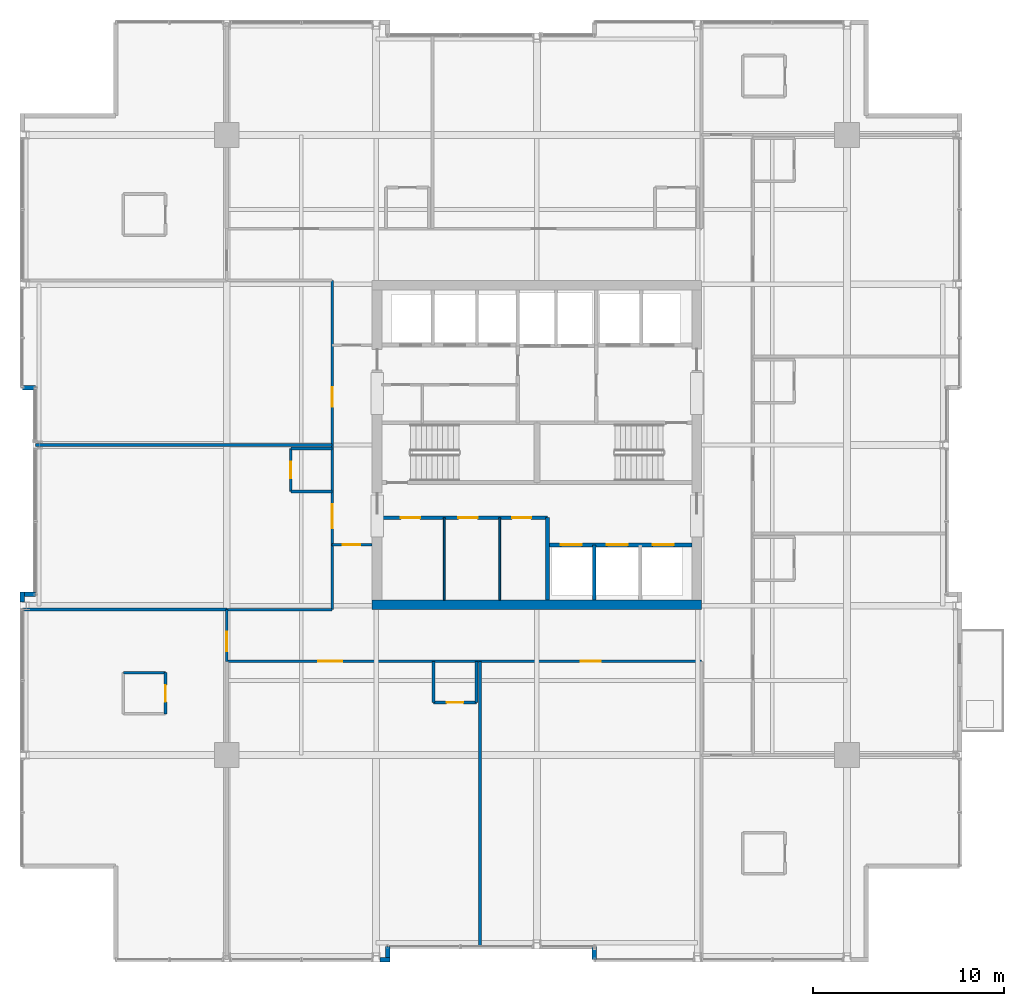
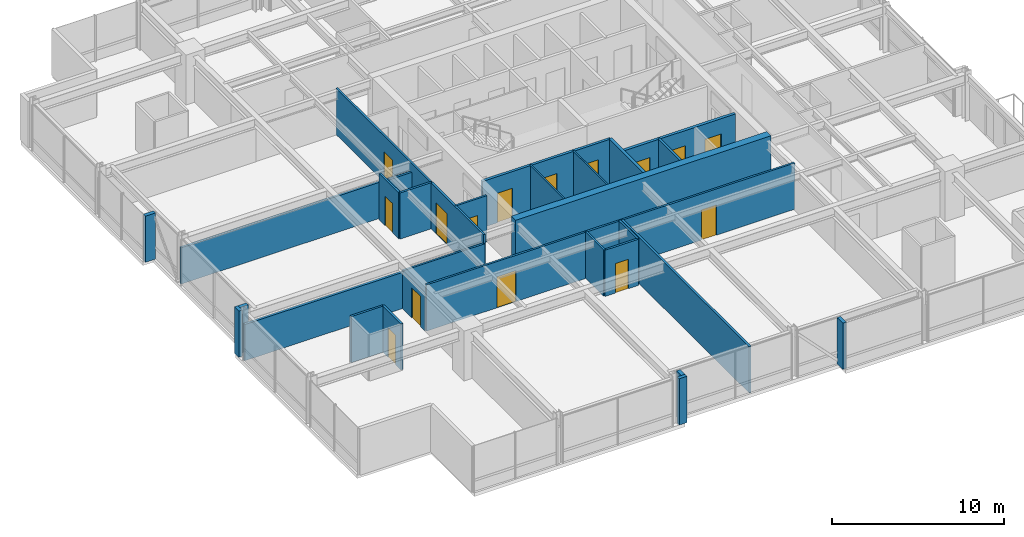
# One storey, part 27 of 33: 29 walls, 15 doors, 15 openings.
"""IFC4 building model written with IfcOpenShell, lengths in metres."""

from ifc_helpers import new_model, si_unit, direction, frame, frame_2d, origin, place, context, subcontext, project, spatial, rectangle, extrude, material, layer, layer_set, type_object, element, fill, save


model = new_model("IFC4")

# Units and contexts
model_context = context("Model", 3, precision=1e-05, world=origin(), true_north=direction((0.0, 1.0)))
body_context = subcontext(model_context, "Body", "Model", "MODEL_VIEW")
ifc_project = project(units=[si_unit("LENGTHUNIT", "METRE"), si_unit("AREAUNIT", "SQUARE_METRE"), si_unit("VOLUMEUNIT", "CUBIC_METRE"), si_unit("PLANEANGLEUNIT", "RADIAN"), si_unit("MASSUNIT", "GRAM", prefix="KILO")], contexts=[model_context])

# Site, building, storey
site_placement = place(None, origin())
site = spatial("IfcSite", under=ifc_project, at=site_placement, CompositionType="ELEMENT")
building_placement = place(site_placement, origin())
building = spatial("IfcBuilding", under=site, at=building_placement, Name="Drelvath Grand Hotel", CompositionType="ELEMENT")
storey_placement = place(building_placement, frame((0.0, 0.0, 161.050048828125)))
storey = spatial("IfcBuildingStorey", under=building, at=storey_placement, Name="L41", CompositionType="ELEMENT", Elevation=161.050048828125)

# Walls
ifc_material_1 = material(Name="Gypsum Partition Board")
ifc_layer_1 = layer(ifc_material_1, 0.10009765625)
ifc_layer_set_1 = layer_set([ifc_layer_1], Name="Gypsum Partition Board")
wall_type_1 = type_object("IfcWallType", Name="Core Closet Partition 100", PredefinedType="PARTITIONING", material=ifc_layer_set_1)
for number, where, z_axis, x_axis, name in (
    (1, (-4.840087890625, 18.89990234375, 0.0), (0.0, 0.0, 1.0), (0.0, 1.0, 0.0), "L41 Reclaimed Split 1"),
    (2, (-1.93994140625, 18.89990234375, 0.0), (0.0, 0.0, 1.0), (0.0, 1.0, 0.0), "L41 Reclaimed Split 2"),
):
    element("IfcWall", number, at=place(storey_placement, frame(where, z_axis=z_axis, x_axis=x_axis)), inside=storey, type_object=wall_type_1, Name=name, PredefinedType="PARTITIONING", context=body_context, shape_type="SweptSolid", body=[
        extrude(rectangle(XDim=4.300048828125, YDim=0.10009765625, at=frame_2d((2.14990234375, 0.0))), origin(), (0.0, 0.0, 1.0), 3.2900390625),
    ])

# Wall, openings, doors
ifc_material_2 = material(Name="Concrete C40/50", Category="concrete")
ifc_layer_2 = layer(ifc_material_2, 0.199951171875)
ifc_layer_set_2 = layer_set([ifc_layer_2], Name="Concrete C40/50")
wall_type_2 = type_object("IfcWallType", Name="Core Hoistway Fire Wall 200", PredefinedType="SOLIDWALL", material=ifc_layer_set_2)
wall_1_placement = place(storey_placement, frame((8.10009765625, 21.780029296875, 0.0), z_axis=(0.0, 0.0, 1.0), x_axis=(-1.0, 0.0, 0.0)))
wall_1 = element("IfcWall", 3, at=wall_1_placement, inside=storey, type_object=wall_type_2, Name="L41 Bank 2 Hoistway Wall", PredefinedType="SOLIDWALL", context=body_context, shape_type="SweptSolid", body=[
    extrude(rectangle(XDim=7.550048828125, YDim=0.199951171875, at=frame_2d((3.77490234375, 0.0))), origin(), (0.0, 0.0, 1.0), 3.2900390625),
])
opening_1_placement = place(wall_1_placement, frame((5.75, 0.0, 0.0)))
opening_1 = element("IfcOpeningElement", 4, at=opening_1_placement, cuts=wall_1, Name="Opening LD-PE-4", PredefinedType="OPENING", context=body_context, shape_type="SweptSolid", body=[
    extrude(rectangle(XDim=1.10009765625, YDim=2.199951171875, at=frame_2d((0.550048828125, 1.10009765625))), frame((0.0, 0.10986328125, 0.0), z_axis=(0.0, -1.0, 0.0), x_axis=(1.0, 0.0, 0.0)), (0.0, 0.0, 1.0), 0.219970703125),
])
opening_2_placement = place(wall_1_placement, frame((3.35009765625, 0.0, 0.0)))
opening_2 = element("IfcOpeningElement", 5, at=opening_2_placement, cuts=wall_1, Name="Opening LD-PE-5", PredefinedType="OPENING", context=body_context, shape_type="SweptSolid", body=[
    extrude(rectangle(XDim=1.10009765625, YDim=2.199951171875, at=frame_2d((0.550048828125, 1.10009765625))), frame((0.0, 0.10986328125, 0.0), z_axis=(0.0, -1.0, 0.0), x_axis=(1.0, 0.0, 0.0)), (0.0, 0.0, 1.0), 0.219970703125),
])
opening_3_placement = place(wall_1_placement, frame((0.949951171875, 0.0, 0.0)))
opening_3 = element("IfcOpeningElement", 6, at=opening_3_placement, cuts=wall_1, Name="Opening LD-PE-6", PredefinedType="OPENING", context=body_context, shape_type="SweptSolid", body=[
    extrude(rectangle(XDim=1.10009765625, YDim=2.199951171875, at=frame_2d((0.550048828125, 1.10009765625))), frame((0.0, 0.10986328125, 0.0), z_axis=(0.0, -1.0, 0.0), x_axis=(1.0, 0.0, 0.0)), (0.0, 0.0, 1.0), 0.219970703125),
])
ifc_material_3 = material(Name="Stainless Steel S355", Category="steel")
door_type_1 = type_object("IfcDoorType", Name="Passenger Lift Sliding Landing Door 1100x2200", OperationType="NOTDEFINED", PredefinedType="DOOR", material=ifc_material_3)
door_1_placement = place(opening_1_placement, origin())
door_1 = element("IfcDoor", 7, at=door_1_placement, inside=storey, type_object=door_type_1, Name="L41 Lift PE-4 Landing Door", OperationType="SLIDING_TO_LEFT", OverallHeight=2.199951171875, OverallWidth=1.10009765625, PredefinedType="DOOR", context=body_context, shape_type="SweptSolid", body=[
    extrude(rectangle(XDim=1.10009765625, YDim=2.199951171875, at=frame_2d((0.550048828125, 1.10009765625))), frame((0.0, 0.02490234375, 0.0), z_axis=(0.0, -1.0, 0.0), x_axis=(1.0, 0.0, 0.0)), (0.0, 0.0, 1.0), 0.050048828125),
])
fill(opening_1, door_1)
door_2_placement = place(opening_2_placement, origin())
door_2 = element("IfcDoor", 8, at=door_2_placement, inside=storey, type_object=door_type_1, Name="L41 Lift PE-5 Landing Door", OperationType="SLIDING_TO_LEFT", OverallHeight=2.199951171875, OverallWidth=1.10009765625, PredefinedType="DOOR", context=body_context, shape_type="SweptSolid", body=[
    extrude(rectangle(XDim=1.10009765625, YDim=2.199951171875, at=frame_2d((0.550048828125, 1.10009765625))), frame((0.0, 0.02490234375, 0.0), z_axis=(0.0, -1.0, 0.0), x_axis=(1.0, 0.0, 0.0)), (0.0, 0.0, 1.0), 0.050048828125),
])
fill(opening_2, door_2)
door_3_placement = place(opening_3_placement, origin())
door_3 = element("IfcDoor", 9, at=door_3_placement, inside=storey, type_object=door_type_1, Name="L41 Lift PE-6 Landing Door", OperationType="SLIDING_TO_LEFT", OverallHeight=2.199951171875, OverallWidth=1.10009765625, PredefinedType="DOOR", context=body_context, shape_type="SweptSolid", body=[
    extrude(rectangle(XDim=1.10009765625, YDim=2.199951171875, at=frame_2d((0.550048828125, 1.10009765625))), frame((0.0, 0.02490234375, 0.0), z_axis=(0.0, -1.0, 0.0), x_axis=(1.0, 0.0, 0.0)), (0.0, 0.0, 1.0), 0.050048828125),
])
fill(opening_3, door_3)

# Walls
wall_2_placement = place(storey_placement, frame((0.550048828125, 18.89990234375, 0.0), z_axis=(0.0, 0.0, 1.0), x_axis=(0.0, 1.0, 0.0)))
element("IfcWall", 10, at=wall_2_placement, inside=storey, type_object=wall_type_2, Name="L41 Bank 2 West Wall", PredefinedType="SOLIDWALL", context=body_context, shape_type="SweptSolid", body=[
    extrude(rectangle(XDim=4.300048828125, YDim=0.199951171875, at=frame_2d((2.14990234375, 0.0))), origin(), (0.0, 0.0, 1.0), 3.2900390625),
])
ifc_material_4 = material(Name="Gypsum Fireboard Partition")
ifc_layer_3 = layer(ifc_material_4, 0.1650390625)
ifc_layer_set_3 = layer_set([ifc_layer_3], Name="Gypsum Fireboard Partition")
wall_type_3 = type_object("IfcWallType", Name="Core Shaft Partition 165", PredefinedType="PARTITIONING", material=ifc_layer_set_3)
wall_3_placement = place(storey_placement, frame((3.0, 18.89990234375, 0.0), z_axis=(0.0, 0.0, 1.0), x_axis=(0.0, 1.0, 0.0)))
element("IfcWall", 11, at=wall_3_placement, inside=storey, type_object=wall_type_3, Name="L41 Lift PE-4/5 Divider", PredefinedType="PARTITIONING", context=body_context, shape_type="SweptSolid", body=[
    extrude(rectangle(XDim=2.880126953125, YDim=0.1650390625, at=frame_2d((1.43994140625, 0.0))), origin(), (0.0, 0.0, 1.0), 3.2900390625),
])

# Wall, opening, door
ifc_layer_4 = layer(ifc_material_4, 0.135009765625)
ifc_layer_set_4 = layer_set([ifc_layer_4], Name="Gypsum Fireboard Partition")
wall_type_4 = type_object("IfcWallType", Name="Corridor Fire Barrier Wall 135", PredefinedType="PARTITIONING", material=ifc_layer_set_4)
wall_4_placement = place(storey_placement, frame((-10.699951171875, 21.800048828125, 0.0), z_axis=(0.0, 0.0, 1.0), x_axis=(1.0, 0.0, 0.0)))
wall_4 = element("IfcWall", 12, at=wall_4_placement, inside=storey, type_object=wall_type_4, Name="L41 West Foyer South Wall", PredefinedType="PARTITIONING", context=body_context, shape_type="SweptSolid", body=[
    extrude(rectangle(XDim=2.099853515625, YDim=0.135009765625, at=frame_2d((1.0498046875, 0.0))), origin(), (0.0, 0.0, 1.0), 3.2900390625),
])
opening_4_placement = place(wall_4_placement, frame((0.550048828125, 0.0, 0.0)))
opening_4 = element("IfcOpeningElement", 13, at=opening_4_placement, cuts=wall_4, Name="Opening D-T3G2-024", PredefinedType="OPENING", context=body_context, shape_type="SweptSolid", body=[
    extrude(rectangle(XDim=0.919921875, YDim=2.10009765625, at=frame_2d((0.4599609375, 1.050048828125))), frame((0.0, 0.077392578125, 0.0), z_axis=(0.0, -1.0, 0.0), x_axis=(1.0, 0.0, 0.0)), (0.0, 0.0, 1.0), 0.155029296875),
])
ifc_material_5 = material(Name="Painted Steel S275", Category="steel")
door_type_2 = type_object("IfcDoorType", Name="Staff Utility Door 920x2100", OperationType="NOTDEFINED", PredefinedType="DOOR", material=ifc_material_5)
door_4_placement = place(opening_4_placement, origin())
door_4 = element("IfcDoor", 14, at=door_4_placement, inside=storey, type_object=door_type_2, Name="L41 West Linen Closet Door", OperationType="SINGLE_SWING_RIGHT", OverallHeight=2.10009765625, OverallWidth=0.919921875, PredefinedType="DOOR", context=body_context, shape_type="SweptSolid", body=[
    extrude(rectangle(XDim=0.919921875, YDim=2.10009765625, at=frame_2d((0.4599609375, 1.050048828125))), frame((0.0, 0.02490234375, 0.0), z_axis=(0.0, -1.0, 0.0), x_axis=(1.0, 0.0, 0.0)), (0.0, 0.0, 1.0), 0.050048828125),
])
fill(opening_4, door_4)

# Wall
wall_5_placement = place(storey_placement, frame((-16.199951171875, 18.39990234375, 0.0), z_axis=(0.0, 0.0, 1.0), x_axis=(1.0, 0.0, 0.0)))
element("IfcWall", 15, at=wall_5_placement, inside=storey, type_object=wall_type_4, Name="L41 SW Stub North Wall", PredefinedType="PARTITIONING", context=body_context, shape_type="SweptSolid", body=[
    extrude(rectangle(XDim=5.5, YDim=0.135009765625, at=frame_2d((2.75, 0.0))), origin(), (0.0, 0.0, 1.0), 2.667236328125),
])

# Wall, openings, doors
wall_6_placement = place(storey_placement, frame((-16.199951171875, 15.699951171875, 0.0), z_axis=(0.0, 0.0, 1.0), x_axis=(1.0, 0.0, 0.0)))
wall_6 = element("IfcWall", 16, at=wall_6_placement, inside=storey, type_object=wall_type_4, Name="L41 South Stub Corridor Wall", PredefinedType="PARTITIONING", context=body_context, shape_type="SweptSolid", body=[
    extrude(rectangle(XDim=24.800048828125, YDim=0.135009765625, at=frame_2d((12.39990234375, 0.0))), origin(), (0.0, 0.0, 1.0), 3.2900390625),
])
opening_5_placement = place(wall_6_placement, frame((4.768310546875, 0.0, 0.0)))
opening_5 = element("IfcOpeningElement", 17, at=opening_5_placement, cuts=wall_6, Name="Opening D-T3G2-035", PredefinedType="OPENING", context=body_context, shape_type="SweptSolid", body=[
    extrude(rectangle(XDim=1.260009765625, YDim=2.199951171875, at=frame_2d((0.6298828125, 1.10009765625))), frame((0.0, 0.077392578125, 0.0), z_axis=(0.0, -1.0, 0.0), x_axis=(1.0, 0.0, 0.0)), (0.0, 0.0, 1.0), 0.155029296875),
])
opening_6_placement = place(wall_6_placement, frame((18.50341796875, 0.0, 0.0)))
opening_6 = element("IfcOpeningElement", 18, at=opening_6_placement, cuts=wall_6, Name="Opening D-T3G2-036", PredefinedType="OPENING", context=body_context, shape_type="SweptSolid", body=[
    extrude(rectangle(XDim=1.02001953125, YDim=2.14990234375, at=frame_2d((0.510009765625, 1.074951171875))), frame((0.0, 0.077392578125, 0.0), z_axis=(0.0, -1.0, 0.0), x_axis=(1.0, 0.0, 0.0)), (0.0, 0.0, 1.0), 0.155029296875),
])
ifc_material_6 = material(Name="Hardwood Walnut Timber", Category="wood")
door_type_3 = type_object("IfcDoorType", Name="Amenity Meeting Fire Door 1020x2150", OperationType="NOTDEFINED", PredefinedType="DOOR", material=ifc_material_6)
door_5_placement = place(opening_6_placement, origin())
door_5 = element("IfcDoor", 19, at=door_5_placement, inside=storey, type_object=door_type_3, Name="L41 Executive Boardroom Entry Door", OperationType="SINGLE_SWING_RIGHT", OverallHeight=2.14990234375, OverallWidth=1.02001953125, PredefinedType="DOOR", context=body_context, shape_type="SweptSolid", body=[
    extrude(rectangle(XDim=1.02001953125, YDim=2.14990234375, at=frame_2d((0.510009765625, 1.074951171875))), frame((0.0, 0.02490234375, 0.0), z_axis=(0.0, -1.0, 0.0), x_axis=(1.0, 0.0, 0.0)), (0.0, 0.0, 1.0), 0.050048828125),
])
fill(opening_6, door_5)
door_type_4 = type_object("IfcDoorType", Name="Suite Entrance Fire Door 1260x2200", OperationType="NOTDEFINED", PredefinedType="DOOR", material=ifc_material_6)
door_6_placement = place(opening_5_placement, origin())
door_6 = element("IfcDoor", 20, at=door_6_placement, inside=storey, type_object=door_type_4, Name="L41 Executive Suite Entry Door", OperationType="SINGLE_SWING_LEFT", OverallHeight=2.199951171875, OverallWidth=1.260009765625, PredefinedType="DOOR", context=body_context, shape_type="SweptSolid", body=[
    extrude(rectangle(XDim=1.260009765625, YDim=2.199951171875, at=frame_2d((0.6298828125, 1.10009765625))), frame((0.0, 0.02490234375, 0.0), z_axis=(0.0, -1.0, 0.0), x_axis=(1.0, 0.0, 0.0)), (0.0, 0.0, 1.0), 0.050048828125),
])
fill(opening_5, door_6)

wall_7_placement = place(storey_placement, frame((-10.699951171875, 18.39990234375, 0.0), z_axis=(0.0, 0.0, 1.0), x_axis=(0.0, 1.0, 0.0)))
wall_7 = element("IfcWall", 21, at=wall_7_placement, inside=storey, type_object=wall_type_4, Name="L41 West Spine Wall", PredefinedType="PARTITIONING", context=body_context, shape_type="SweptSolid", body=[
    extrude(rectangle(XDim=17.2001953125, YDim=0.135009765625, at=frame_2d((8.60009765625, 0.0))), origin(), (0.0, 0.0, 1.0), 3.2900390625),
])
opening_7_placement = place(wall_7_placement, frame((4.2548828125, 0.0, 0.0)))
opening_7 = element("IfcOpeningElement", 22, at=opening_7_placement, cuts=wall_7, Name="Opening D-T3G2-048", PredefinedType="OPENING", context=body_context, shape_type="SweptSolid", body=[
    extrude(rectangle(XDim=1.260009765625, YDim=2.199951171875, at=frame_2d((0.6298828125, 1.10009765625))), frame((0.0, 0.077392578125, 0.0), z_axis=(0.0, -1.0, 0.0), x_axis=(1.0, 0.0, 0.0)), (0.0, 0.0, 1.0), 0.155029296875),
])
opening_8_placement = place(wall_7_placement, frame((10.590087890625, 0.0, 0.0)))
opening_8 = element("IfcOpeningElement", 23, at=opening_8_placement, cuts=wall_7, Name="Opening D-T3G2-049", PredefinedType="OPENING", context=body_context, shape_type="SweptSolid", body=[
    extrude(rectangle(XDim=1.02001953125, YDim=2.14990234375, at=frame_2d((0.510009765625, 1.074951171875))), frame((0.0, 0.077392578125, 0.0), z_axis=(0.0, -1.0, 0.0), x_axis=(1.0, 0.0, 0.0)), (0.0, 0.0, 1.0), 0.155029296875),
])
door_7_placement = place(opening_8_placement, origin())
door_7 = element("IfcDoor", 24, at=door_7_placement, inside=storey, type_object=door_type_3, Name="L41 Wellness Consultation Room Entry Door", OperationType="SINGLE_SWING_LEFT", OverallHeight=2.14990234375, OverallWidth=1.02001953125, PredefinedType="DOOR", context=body_context, shape_type="SweptSolid", body=[
    extrude(rectangle(XDim=1.02001953125, YDim=2.14990234375, at=frame_2d((0.510009765625, 1.074951171875))), frame((0.0, 0.02490234375, 0.0), z_axis=(0.0, -1.0, 0.0), x_axis=(1.0, 0.0, 0.0)), (0.0, 0.0, 1.0), 0.050048828125),
])
fill(opening_8, door_7)
door_8_placement = place(opening_7_placement, origin())
door_8 = element("IfcDoor", 25, at=door_8_placement, inside=storey, type_object=door_type_4, Name="L41 Executive Suite Entry Door", OperationType="SINGLE_SWING_RIGHT", OverallHeight=2.199951171875, OverallWidth=1.260009765625, PredefinedType="DOOR", context=body_context, shape_type="SweptSolid", body=[
    extrude(rectangle(XDim=1.260009765625, YDim=2.199951171875, at=frame_2d((0.6298828125, 1.10009765625))), frame((0.0, 0.02490234375, 0.0), z_axis=(0.0, -1.0, 0.0), x_axis=(1.0, 0.0, 0.0)), (0.0, 0.0, 1.0), 0.050048828125),
])
fill(opening_7, door_8)

# Wall, opening, door
wall_8_placement = place(storey_placement, frame((-16.199951171875, 15.699951171875, 0.0), z_axis=(0.0, 0.0, 1.0), x_axis=(0.0, 1.0, 0.0)))
wall_8 = element("IfcWall", 26, at=wall_8_placement, inside=storey, type_object=wall_type_4, Name="L41 South Stub West End", PredefinedType="PARTITIONING", context=body_context, shape_type="SweptSolid", body=[
    extrude(rectangle(XDim=2.699951171875, YDim=0.135009765625, at=frame_2d((1.35009765625, 0.0))), origin(), (0.0, 0.0, 1.0), 2.57958984375),
])
opening_9_placement = place(wall_8_placement, frame((0.52001953125, 0.0, 0.0)))
opening_9 = element("IfcOpeningElement", 27, at=opening_9_placement, cuts=wall_8, Name="Opening D-T3G2-027", PredefinedType="OPENING", context=body_context, shape_type="SweptSolid", body=[
    extrude(rectangle(XDim=1.02001953125, YDim=2.14990234375, at=frame_2d((0.510009765625, 1.074951171875))), frame((0.0, 0.077392578125, 0.0), z_axis=(0.0, -1.0, 0.0), x_axis=(1.0, 0.0, 0.0)), (0.0, 0.0, 1.0), 0.155029296875),
])
door_9_placement = place(opening_9_placement, origin())
door_9 = element("IfcDoor", 28, at=door_9_placement, inside=storey, type_object=door_type_3, Name="L41 Executive Suite Entry Door", OperationType="SINGLE_SWING_LEFT", OverallHeight=2.14990234375, OverallWidth=1.02001953125, PredefinedType="DOOR", context=body_context, shape_type="SweptSolid", body=[
    extrude(rectangle(XDim=1.02001953125, YDim=2.14990234375, at=frame_2d((0.510009765625, 1.074951171875))), frame((0.0, 0.02490234375, 0.0), z_axis=(0.0, -1.0, 0.0), x_axis=(1.0, 0.0, 0.0)), (0.0, 0.0, 1.0), 0.050048828125),
])
fill(opening_9, door_9)

# Wall
ifc_material_7 = material(Name="Moisture-Resistant Gypsum Board")
ifc_layer_5 = layer(ifc_material_7, 0.139892578125)
ifc_layer_set_5 = layer_set([ifc_layer_5], Name="Moisture-Resistant Gypsum Board")
wall_type_5 = type_object("IfcWallType", Name="En-Suite Plumbing Wall 140", PredefinedType="PLUMBINGWALL", material=ifc_layer_set_5)
wall_9_placement = place(storey_placement, frame((-21.60009765625, 15.110107421875, 0.0), z_axis=(0.0, 0.0, 1.0), x_axis=(1.0, 0.0, 0.0)))
element("IfcWall", 29, at=wall_9_placement, inside=storey, type_object=wall_type_5, Name="L41 Corner En-Suite North", PredefinedType="PLUMBINGWALL", context=body_context, shape_type="SweptSolid", body=[
    extrude(rectangle(XDim=2.2001953125, YDim=0.139892578125, at=frame_2d((1.10009765625, 0.0))), origin(), (0.0, 0.0, 1.0), 3.2900390625),
])

# Wall, opening, door
wall_10_placement = place(storey_placement, frame((-19.39990234375, 12.9599609375, 0.0), z_axis=(0.0, 0.0, 1.0), x_axis=(0.0, 1.0, 0.0)))
wall_10 = element("IfcWall", 30, at=wall_10_placement, inside=storey, type_object=wall_type_5, Name="L41 Corner En-Suite East", PredefinedType="PLUMBINGWALL", context=body_context, shape_type="SweptSolid", body=[
    extrude(rectangle(XDim=2.150146484375, YDim=0.139892578125, at=frame_2d((1.0751953125, 0.0))), origin(), (0.0, 0.0, 1.0), 3.2900390625),
])
opening_10_placement = place(wall_10_placement, frame((0.6201171875, 0.0, 0.0)))
opening_10 = element("IfcOpeningElement", 31, at=opening_10_placement, cuts=wall_10, Name="Opening D-T3G2-026", PredefinedType="OPENING", context=body_context, shape_type="SweptSolid", body=[
    extrude(rectangle(XDim=0.8798828125, YDim=2.10009765625, at=frame_2d((0.43994140625, 1.050048828125))), frame((0.0, 0.079833984375, 0.0), z_axis=(0.0, -1.0, 0.0), x_axis=(1.0, 0.0, 0.0)), (0.0, 0.0, 1.0), 0.159912109375),
])
door_type_5 = type_object("IfcDoorType", Name="En-Suite Bathroom Door 880x2100", OperationType="NOTDEFINED", PredefinedType="DOOR", material=ifc_material_6)
door_10_placement = place(opening_10_placement, origin())
door_10 = element("IfcDoor", 32, at=door_10_placement, inside=storey, type_object=door_type_5, Name="L41 Corner En-Suite Door", OperationType="SINGLE_SWING_RIGHT", OverallHeight=2.10009765625, OverallWidth=0.8798828125, PredefinedType="DOOR", context=body_context, shape_type="SweptSolid", body=[
    extrude(rectangle(XDim=0.8798828125, YDim=2.10009765625, at=frame_2d((0.43994140625, 1.050048828125))), frame((0.0, 0.02490234375, 0.0), z_axis=(0.0, -1.0, 0.0), x_axis=(1.0, 0.0, 0.0)), (0.0, 0.0, 1.0), 0.050048828125),
])
fill(opening_10, door_10)

# Walls
for number, where, z_axis, x_axis, name in (
    (33, (-5.4033203125, 15.699951171875, 0.0), (0.0, 0.0, 1.0), (0.0, -1.0, 0.0), "L41 En-Suite Left Wall"),
    (34, (-3.1533203125, 15.699951171875, 0.0), (0.0, 0.0, 1.0), (0.0, -1.0, 0.0), "L41 En-Suite Right Wall"),
):
    element("IfcWall", number, at=place(storey_placement, frame(where, z_axis=z_axis, x_axis=x_axis)), inside=storey, type_object=wall_type_5, Name=name, PredefinedType="PLUMBINGWALL", context=body_context, shape_type="SweptSolid", body=[
        extrude(rectangle(XDim=2.14990234375, YDim=0.139892578125, at=frame_2d((1.074951171875, 0.0))), origin(), (0.0, 0.0, 1.0), 3.2900390625),
    ])

# Wall, opening, door
wall_11_placement = place(storey_placement, frame((-5.4033203125, 13.550048828125, 0.0), z_axis=(0.0, 0.0, 1.0), x_axis=(1.0, 0.0, 0.0)))
wall_11 = element("IfcWall", 35, at=wall_11_placement, inside=storey, type_object=wall_type_5, Name="L41 En-Suite Front Wall", PredefinedType="PLUMBINGWALL", context=body_context, shape_type="SweptSolid", body=[
    extrude(rectangle(XDim=2.25, YDim=0.139892578125, at=frame_2d((1.125, 0.0))), origin(), (0.0, 0.0, 1.0), 3.2900390625),
])
opening_11_placement = place(wall_11_placement, frame((0.68505859375, 0.0, 0.0)))
opening_11 = element("IfcOpeningElement", 36, at=opening_11_placement, cuts=wall_11, Name="Opening D-T3G2-034", PredefinedType="OPENING", context=body_context, shape_type="SweptSolid", body=[
    extrude(rectangle(XDim=0.8798828125, YDim=2.10009765625, at=frame_2d((0.43994140625, 1.050048828125))), frame((0.0, 0.079833984375, 0.0), z_axis=(0.0, -1.0, 0.0), x_axis=(1.0, 0.0, 0.0)), (0.0, 0.0, 1.0), 0.159912109375),
])
door_11_placement = place(opening_11_placement, origin())
door_11 = element("IfcDoor", 37, at=door_11_placement, inside=storey, type_object=door_type_5, Name="L41 En-Suite Bathroom Door", OperationType="SINGLE_SWING_RIGHT", OverallHeight=2.10009765625, OverallWidth=0.8798828125, PredefinedType="DOOR", context=body_context, shape_type="SweptSolid", body=[
    extrude(rectangle(XDim=0.8798828125, YDim=2.10009765625, at=frame_2d((0.43994140625, 1.050048828125))), frame((0.0, 0.02490234375, 0.0), z_axis=(0.0, -1.0, 0.0), x_axis=(1.0, 0.0, 0.0)), (0.0, 0.0, 1.0), 0.050048828125),
])
fill(opening_11, door_11)

# Walls
wall_12_placement = place(storey_placement, frame((-10.699951171875, 24.570068359375, 0.0), z_axis=(0.0, 0.0, 1.0), x_axis=(-1.0, 0.0, 0.0)))
element("IfcWall", 38, at=wall_12_placement, inside=storey, type_object=wall_type_5, Name="L41 En-Suite Left Wall", PredefinedType="PLUMBINGWALL", context=body_context, shape_type="SweptSolid", body=[
    extrude(rectangle(XDim=2.150146484375, YDim=0.139892578125, at=frame_2d((1.0751953125, 0.0))), origin(), (0.0, 0.0, 1.0), 3.2900390625),
])
wall_13_placement = place(storey_placement, frame((-10.699951171875, 26.820068359375, 0.0), z_axis=(0.0, 0.0, 1.0), x_axis=(-1.0, 0.0, 0.0)))
element("IfcWall", 39, at=wall_13_placement, inside=storey, type_object=wall_type_5, Name="L41 En-Suite Right Wall", PredefinedType="PLUMBINGWALL", context=body_context, shape_type="SweptSolid", body=[
    extrude(rectangle(XDim=2.150146484375, YDim=0.139892578125, at=frame_2d((1.0751953125, 0.0))), origin(), (0.0, 0.0, 1.0), 2.667236328125),
])

# Wall, opening, door
wall_14_placement = place(storey_placement, frame((-12.85009765625, 24.570068359375, 0.0), z_axis=(0.0, 0.0, 1.0), x_axis=(0.0, 1.0, 0.0)))
wall_14 = element("IfcWall", 40, at=wall_14_placement, inside=storey, type_object=wall_type_5, Name="L41 En-Suite Front Wall", PredefinedType="PLUMBINGWALL", context=body_context, shape_type="SweptSolid", body=[
    extrude(rectangle(XDim=2.25, YDim=0.139892578125, at=frame_2d((1.125, 0.0))), origin(), (0.0, 0.0, 1.0), 3.2900390625),
])
opening_12_placement = place(wall_14_placement, frame((0.68505859375, 0.0, 0.0)))
opening_12 = element("IfcOpeningElement", 41, at=opening_12_placement, cuts=wall_14, Name="Opening D-T3G2-047", PredefinedType="OPENING", context=body_context, shape_type="SweptSolid", body=[
    extrude(rectangle(XDim=0.8798828125, YDim=2.10009765625, at=frame_2d((0.43994140625, 1.050048828125))), frame((0.0, 0.079833984375, 0.0), z_axis=(0.0, -1.0, 0.0), x_axis=(1.0, 0.0, 0.0)), (0.0, 0.0, 1.0), 0.159912109375),
])
door_12_placement = place(opening_12_placement, origin())
door_12 = element("IfcDoor", 42, at=door_12_placement, inside=storey, type_object=door_type_5, Name="L41 En-Suite Bathroom Door", OperationType="SINGLE_SWING_LEFT", OverallHeight=2.10009765625, OverallWidth=0.8798828125, PredefinedType="DOOR", context=body_context, shape_type="SweptSolid", body=[
    extrude(rectangle(XDim=0.8798828125, YDim=2.10009765625, at=frame_2d((0.43994140625, 1.050048828125))), frame((0.0, 0.02490234375, 0.0), z_axis=(0.0, -1.0, 0.0), x_axis=(1.0, 0.0, 0.0)), (0.0, 0.0, 1.0), 0.050048828125),
])
fill(opening_12, door_12)

# Wall, openings, doors
ifc_layer_6 = layer(ifc_material_4, 0.179931640625)
ifc_layer_set_6 = layer_set([ifc_layer_6], Name="Gypsum Fireboard Partition")
wall_type_6 = type_object("IfcWallType", Name="FSAE Smoke Lobby Fire Wall 180", PredefinedType="SOLIDWALL", material=ifc_layer_set_6)
wall_15_placement = place(storey_placement, frame((-8.10009765625, 23.199951171875, 0.0), z_axis=(0.0, 0.0, 1.0), x_axis=(1.0, 0.0, 0.0)))
wall_15 = element("IfcWall", 43, at=wall_15_placement, inside=storey, type_object=wall_type_6, Name="L41 Reclaimed Core Room Wall", PredefinedType="SOLIDWALL", context=body_context, shape_type="SweptSolid", body=[
    extrude(rectangle(XDim=8.650146484375, YDim=0.179931640625, at=frame_2d((4.3251953125, 0.0))), origin(), (0.0, 0.0, 1.0), 3.2900390625),
])
opening_13_placement = place(wall_15_placement, frame((1.0, 0.0, 0.0)))
opening_13 = element("IfcOpeningElement", 44, at=opening_13_placement, cuts=wall_15, Name="Opening D-T3G2-021", PredefinedType="OPENING", context=body_context, shape_type="SweptSolid", body=[
    extrude(rectangle(XDim=1.0, YDim=2.10009765625, at=frame_2d((0.5, 1.050048828125))), frame((0.0, 0.099853515625, 0.0), z_axis=(0.0, -1.0, 0.0), x_axis=(1.0, 0.0, 0.0)), (0.0, 0.0, 1.0), 0.199951171875),
])
opening_14_placement = place(wall_15_placement, frame((4.0, 0.0, 0.0)))
opening_14 = element("IfcOpeningElement", 45, at=opening_14_placement, cuts=wall_15, Name="Opening D-T3G2-022", PredefinedType="OPENING", context=body_context, shape_type="SweptSolid", body=[
    extrude(rectangle(XDim=1.0, YDim=2.10009765625, at=frame_2d((0.5, 1.050048828125))), frame((0.0, 0.099853515625, 0.0), z_axis=(0.0, -1.0, 0.0), x_axis=(1.0, 0.0, 0.0)), (0.0, 0.0, 1.0), 0.199951171875),
])
opening_15_placement = place(wall_15_placement, frame((6.800048828125, 0.0, 0.0)))
opening_15 = element("IfcOpeningElement", 46, at=opening_15_placement, cuts=wall_15, Name="Opening D-T3G2-023", PredefinedType="OPENING", context=body_context, shape_type="SweptSolid", body=[
    extrude(rectangle(XDim=1.0, YDim=2.10009765625, at=frame_2d((0.5, 1.050048828125))), frame((0.0, 0.099853515625, 0.0), z_axis=(0.0, -1.0, 0.0), x_axis=(1.0, 0.0, 0.0)), (0.0, 0.0, 1.0), 0.199951171875),
])
door_type_6 = type_object("IfcDoorType", Name="Core Service Fire Door 1000x2100", OperationType="NOTDEFINED", PredefinedType="DOOR", material=ifc_material_5)
door_13_placement = place(opening_13_placement, origin())
door_13 = element("IfcDoor", 47, at=door_13_placement, inside=storey, type_object=door_type_6, Name="L41 Housekeeping Door", OperationType="SINGLE_SWING_LEFT", OverallHeight=2.10009765625, OverallWidth=1.0, PredefinedType="DOOR", context=body_context, shape_type="SweptSolid", body=[
    extrude(rectangle(XDim=1.0, YDim=2.10009765625, at=frame_2d((0.5, 1.050048828125))), frame((0.0, 0.02490234375, 0.0), z_axis=(0.0, -1.0, 0.0), x_axis=(1.0, 0.0, 0.0)), (0.0, 0.0, 1.0), 0.050048828125),
])
fill(opening_13, door_13)
door_14_placement = place(opening_14_placement, origin())
door_14 = element("IfcDoor", 48, at=door_14_placement, inside=storey, type_object=door_type_6, Name="L41 Pantry Door", OperationType="SINGLE_SWING_RIGHT", OverallHeight=2.10009765625, OverallWidth=1.0, PredefinedType="DOOR", context=body_context, shape_type="SweptSolid", body=[
    extrude(rectangle(XDim=1.0, YDim=2.10009765625, at=frame_2d((0.5, 1.050048828125))), frame((0.0, 0.02490234375, 0.0), z_axis=(0.0, -1.0, 0.0), x_axis=(1.0, 0.0, 0.0)), (0.0, 0.0, 1.0), 0.050048828125),
])
fill(opening_14, door_14)
door_15_placement = place(opening_15_placement, origin())
door_15 = element("IfcDoor", 49, at=door_15_placement, inside=storey, type_object=door_type_6, Name="L41 Luggage Store Door", OperationType="SINGLE_SWING_LEFT", OverallHeight=2.10009765625, OverallWidth=1.0, PredefinedType="DOOR", context=body_context, shape_type="SweptSolid", body=[
    extrude(rectangle(XDim=1.0, YDim=2.10009765625, at=frame_2d((0.5, 1.050048828125))), frame((0.0, 0.02490234375, 0.0), z_axis=(0.0, -1.0, 0.0), x_axis=(1.0, 0.0, 0.0)), (0.0, 0.0, 1.0), 0.050048828125),
])
fill(opening_15, door_15)

# Walls
ifc_material_8 = material(Name="Gypsum Acoustic Partition")
ifc_layer_7 = layer(ifc_material_8, 0.14990234375)
ifc_layer_set_7 = layer_set([ifc_layer_7], Name="Gypsum Acoustic Partition")
wall_type_7 = type_object("IfcWallType", Name="Guestroom Demising Wall 150", PredefinedType="PARTITIONING", material=ifc_layer_set_7)
wall_16_placement = place(storey_placement, frame((-2.973388671875, 0.800048828125, 0.0), z_axis=(0.0, 0.0, 1.0), x_axis=(0.0, 1.0, 0.0)))
element("IfcWall", 50, at=wall_16_placement, inside=storey, type_object=wall_type_7, Name="L41 South Demising 1", PredefinedType="PARTITIONING", context=body_context, shape_type="SweptSolid", body=[
    extrude(rectangle(XDim=14.89990234375, YDim=0.14990234375, at=frame_2d((7.449951171875, 0.0))), origin(), (0.0, 0.0, 1.0), 3.2900390625),
])
wall_17_placement = place(storey_placement, frame((-26.199951171875, 27.0, 0.0), z_axis=(0.0, 0.0, 1.0), x_axis=(1.0, 0.0, 0.0)))
element("IfcWall", 51, at=wall_17_placement, inside=storey, type_object=wall_type_7, Name="L41 West Suite Demising Wall", PredefinedType="PARTITIONING", context=body_context, shape_type="SweptSolid", body=[
    extrude(rectangle(XDim=15.5, YDim=0.14990234375, at=frame_2d((7.75, 0.0))), origin(), (0.0, 0.0, 1.0), 2.57958984375),
])
ifc_layer_8 = layer(ifc_material_8, 0.1650390625)
ifc_layer_set_8 = layer_set([ifc_layer_8], Name="Gypsum Acoustic Partition")
wall_type_8 = type_object("IfcWallType", Name="Suite Demising Wall 165", PredefinedType="PARTITIONING", material=ifc_layer_set_8)
wall_18_placement = place(storey_placement, frame((-26.8798828125, 18.39990234375, 0.0), z_axis=(0.0, 0.0, 1.0), x_axis=(1.0, 0.0, 0.0)))
element("IfcWall", 52, at=wall_18_placement, inside=storey, type_object=wall_type_8, Name="L41 SW Suite North Wall", PredefinedType="PARTITIONING", context=body_context, shape_type="SweptSolid", body=[
    extrude(rectangle(XDim=10.679931640625, YDim=0.1650390625, at=frame_2d((5.33984375, 0.0))), origin(), (0.0, 0.0, 1.0), 2.57958984375),
])
ifc_material_9 = material(Name="Pale-Metal Insulated Aluminium Spandrel Assembly", Category="aluminium")
ifc_layer_9 = layer(ifc_material_9, 0.239990234375)
ifc_layer_set_9 = layer_set([ifc_layer_9], Name="Pale-Metal Insulated Aluminium Spandrel Assembly")
wall_type_9 = type_object("IfcWallType", Name="Tower Insulated Metal Spandrel Closure Wall 240", PredefinedType="STANDARD", material=ifc_layer_set_9)
for number, where, z_axis, x_axis, name in (
    (53, (-26.8798828125, 18.800048828125, 0.0), (0.0, 0.0, 1.0), (0.0, 1.0, 0.0), "L41 Corner Pier Spandrel Wall WS3"),
    (54, (-7.679931640625, 0.1201171875, 0.0), (0.0, 0.0, 1.0), (-1.0, 0.0, 0.0), "L41 Corner Pier Spandrel Wall SW3"),
):
    element("IfcWall", number, at=place(storey_placement, frame(where, z_axis=z_axis, x_axis=x_axis)), inside=storey, type_object=wall_type_9, Name=name, PredefinedType="STANDARD", context=body_context, shape_type="SweptSolid", body=[
        extrude(rectangle(XDim=0.52001953125, YDim=0.239990234375, at=frame_2d((0.260009765625, 0.0))), origin(), (0.0, 0.0, 1.0), 3.2900390625),
    ])
wall_19_placement = place(storey_placement, frame((-26.760009765625, 19.199951171875, 0.0), z_axis=(0.0, 0.0, 1.0), x_axis=(1.0, 0.0, 0.0)))
element("IfcWall", 55, at=wall_19_placement, inside=storey, type_object=wall_type_9, Name="L41 Notched Corner Return Spandrel Wall RW1", PredefinedType="STANDARD", context=body_context, shape_type="SweptSolid", body=[
    extrude(rectangle(XDim=0.56005859375, YDim=0.239990234375, at=frame_2d((0.280029296875, 0.0))), origin(), (0.0, 0.0, 1.0), 3.2900390625),
])
for number, where, z_axis, x_axis, name in (
    (56, (-26.199951171875, 30.0, 0.0), (0.0, 0.0, 1.0), (-1.0, 0.0, 0.0), "L41 Notched Corner Return Spandrel Wall RW2"),
    (57, (3.0, 0.1201171875, 0.0), (0.0, 0.0, 1.0), (0.0, 1.0, 0.0), "L41 Notched Corner Return Spandrel Wall RS1"),
):
    element("IfcWall", number, at=place(storey_placement, frame(where, z_axis=z_axis, x_axis=x_axis)), inside=storey, type_object=wall_type_9, Name=name, PredefinedType="STANDARD", context=body_context, shape_type="SweptSolid", body=[
        extrude(rectangle(XDim=0.679931640625, YDim=0.239990234375, at=frame_2d((0.33984375, 0.0))), origin(), (0.0, 0.0, 1.0), 3.2900390625),
    ])
wall_20_placement = place(storey_placement, frame((-7.800048828125, 0.800048828125, 0.0), z_axis=(0.0, 0.0, 1.0), x_axis=(0.0, -1.0, 0.0)))
element("IfcWall", 58, at=wall_20_placement, inside=storey, type_object=wall_type_9, Name="L41 Notched Corner Return Spandrel Wall RS2", PredefinedType="STANDARD", context=body_context, shape_type="SweptSolid", body=[
    extrude(rectangle(XDim=0.56005859375, YDim=0.239990234375, at=frame_2d((0.280029296875, 0.0))), origin(), (0.0, 0.0, 1.0), 3.2900390625),
])
ifc_material_10 = material(Name="Concrete f'c 55 MPa", Category="concrete")
ifc_layer_10 = layer(ifc_material_10, 0.5)
ifc_layer_set_10 = layer_set([ifc_layer_10], Name="Concrete f'c 55 MPa")
wall_type_10 = type_object("IfcWallType", Name="Upper Core RC Shear Wall 500", PredefinedType="SHEAR", material=ifc_layer_set_10)
wall_21_placement = place(storey_placement, frame((8.60009765625, 18.64990234375, 0.0), z_axis=(0.0, 0.0, 1.0), x_axis=(-1.0, 0.0, 0.0)))
element("IfcWall", 59, at=wall_21_placement, inside=storey, type_object=wall_type_10, Name="L41 Central Core Shear Wall S", PredefinedType="SHEAR", context=body_context, shape_type="SweptSolid", body=[
    extrude(rectangle(XDim=17.2001953125, YDim=0.5, at=frame_2d((8.60009765625, 0.0))), origin(), (0.0, 0.0, 1.0), 3.550048828125),
])

save(model, "model.ifc")
